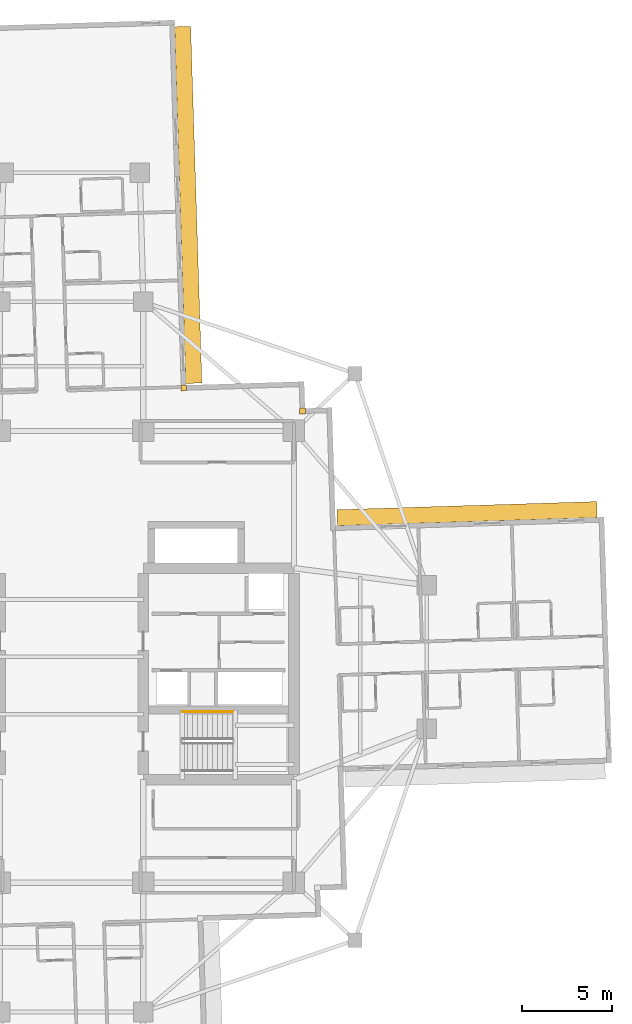
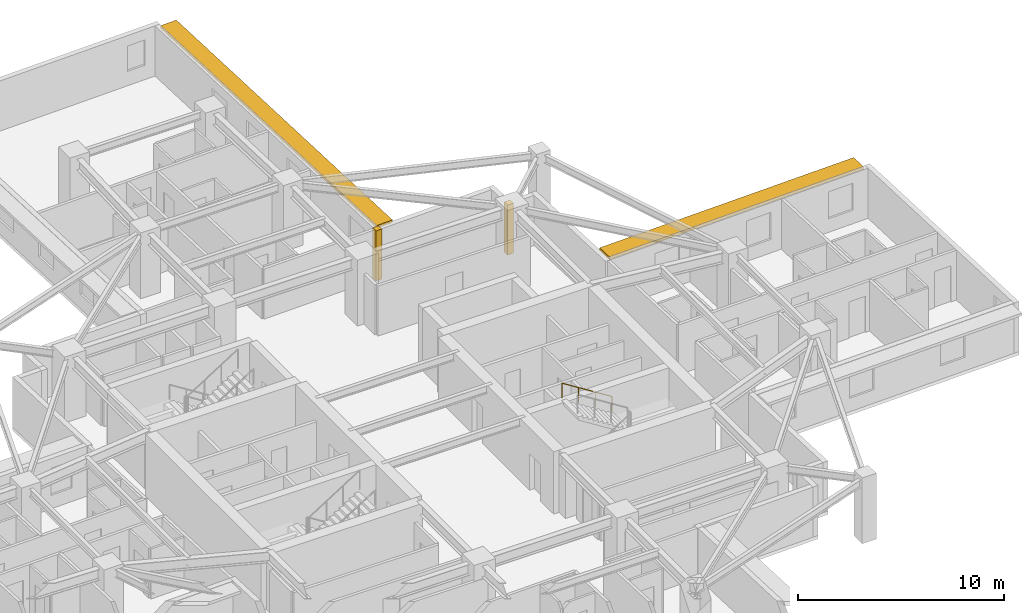
# One storey, part 14 of 14: 2 coverings, 2 shading devices, 1 railing.
"""IFC4 building model written with IfcOpenShell, lengths in metres."""

from ifc_helpers import new_model, si_unit, direction, frame, origin, origin_2d, place, context, subcontext, project, spatial, rectangle, circle, extrude, material, layer, layer_set, type_object, element, save


model = new_model("IFC4")

# Units and contexts
model_context = context("Model", 3, precision=1e-05, world=origin(), true_north=direction((0.0, 1.0)))
body_context = subcontext(model_context, "Body", "Model", "MODEL_VIEW")
ifc_project = project(units=[si_unit("LENGTHUNIT", "METRE"), si_unit("AREAUNIT", "SQUARE_METRE"), si_unit("VOLUMEUNIT", "CUBIC_METRE"), si_unit("PLANEANGLEUNIT", "RADIAN"), si_unit("MASSUNIT", "GRAM", prefix="KILO")], contexts=[model_context])

# Site, building, storey
site_placement = place(None, origin())
site = spatial("IfcSite", under=ifc_project, at=site_placement, CompositionType="ELEMENT")
building_placement = place(site_placement, origin())
building = spatial("IfcBuilding", under=site, at=building_placement, Name="Qingluan Cross Belvedere", CompositionType="ELEMENT")
storey_placement = place(building_placement, frame((0.0, 0.0, 112.5)))
storey = spatial("IfcBuildingStorey", under=building, at=storey_placement, Name="L28", CompositionType="ELEMENT", Elevation=112.5)

# Coverings
ifc_material_1 = material(Name="Precast concrete C45", Category="concrete")
ifc_layer_1 = layer(ifc_material_1, 0.1201171875, Name="ConcreteSpandrelCladding_120")
ifc_layer_set_1 = layer_set([ifc_layer_1], Name="Precast concrete C45")
covering_type = type_object("IfcCoveringType", Name="ConcreteSpandrelCladding_120", PredefinedType="CLADDING", material=ifc_layer_set_1)
for number, where, z_axis, x_axis, name in (
    (1, (12.875732421875, 13.711181640625, 0.0), (0.0, 0.0, 1.0), (0.999506560366, 0.031410759078, 0.0), "Corner closure L28-NE1"),
    (2, (6.251708984375, 15.00390625, 0.0), (0.0, 0.0, 1.0), (0.999506560366, 0.031410759078, 0.0), "Corner closure L28-NE2"),
):
    element("IfcCovering", number, at=place(storey_placement, frame(where, z_axis=z_axis, x_axis=x_axis)), inside=storey, type_object=covering_type, Name=name, PredefinedType="CLADDING", context=body_context, shape_type="SweptSolid", body=[
        extrude(rectangle(XDim=0.320068359375, YDim=0.320068359375, at=origin_2d()), origin(), (0.0, 0.0, 1.0), 2.969970703125),
    ])

# Shading devices
ifc_material_2 = material(Name="Precast concrete C45", Category="concrete")
ifc_layer_2 = layer(ifc_material_2, 0.159912109375, Name="ConcreteSunshadeBand_900")
ifc_layer_set_2 = layer_set([ifc_layer_2], Name="Precast concrete C45")
shading_device_type = type_object("IfcShadingDeviceType", Name="ConcreteSunshadeBand_900", PredefinedType="USERDEFINED", material=ifc_layer_set_2)
shading_device_1_placement = place(storey_placement, frame((22.050048828125, 7.986572265625, 2.7900390625), z_axis=(0.0, 0.0, 1.0), x_axis=(-0.999506645453, -0.031408051437, 0.0)))
element("IfcShadingDevice", 3, at=shading_device_1_placement, inside=storey, type_object=shading_device_type, Name="Concrete SUNSHADE L28-EB", ObjectType="SUNSHADE", PredefinedType="USERDEFINED", context=body_context, shape_type="SweptSolid", body=[
    extrude(rectangle(XDim=14.5, YDim=0.89990234375, at=origin_2d()), origin(), (0.0, 0.0, 1.0), 0.159912109375),
])
shading_device_2_placement = place(storey_placement, frame((6.50146484375, 25.206787109375, 2.7900390625), z_axis=(0.0, 0.0, 1.0), x_axis=(-0.031407934627, 0.999506649124, 0.0)))
element("IfcShadingDevice", 4, at=shading_device_2_placement, inside=storey, type_object=shading_device_type, Name="Concrete SUNSHADE L28-NA", ObjectType="SUNSHADE", PredefinedType="USERDEFINED", context=body_context, shape_type="SweptSolid", body=[
    extrude(rectangle(XDim=19.89990234375, YDim=0.89990234375, at=origin_2d()), origin(), (0.0, 0.0, 1.0), 0.159912109375),
])

# Railing
ifc_material_3 = material(Name="Brushed stainless steel tubular handrail", Category="steel")
railing_type = type_object("IfcRailingType", Name="StairPitchHandrail_900", PredefinedType="HANDRAIL", material=ifc_material_3)
railing_placement = place(storey_placement, frame((8.97998046875, -3.050048828125, 2.127197265625)))
element("IfcRailing", 5, at=railing_placement, inside=storey, type_object=railing_type, Name="L28 ST2 stair handrail 2", PredefinedType="HANDRAIL", context=body_context, shape_type="SweptSolid", body=[
    extrude(circle(Radius=0.02392578125, at=origin_2d()), frame((0.0, 0.0, 0.8759765625), z_axis=(-0.844908973607, 0.0, 0.534910110503), x_axis=(0.0, -1.0, 0.0)), (0.0, 0.0, 1.0), 3.31396484375),
    extrude(circle(Radius=0.02099609375, at=origin_2d()), origin(), (0.0, 0.0, 1.0), 0.851806640625),
    extrude(circle(Radius=0.02099609375, at=origin_2d()), frame((-0.933349609375, 0.0, 0.5908203125)), (0.0, 0.0, 1.0), 0.851806640625),
    extrude(circle(Radius=0.02099609375, at=origin_2d()), frame((-1.86669921875, 0.0, 1.181884765625)), (0.0, 0.0, 1.0), 0.851806640625),
    extrude(circle(Radius=0.02099609375, at=origin_2d()), frame((-2.800048828125, 0.0, 1.772705078125)), (0.0, 0.0, 1.0), 0.851806640625),
])

save(model, "model.ifc")
